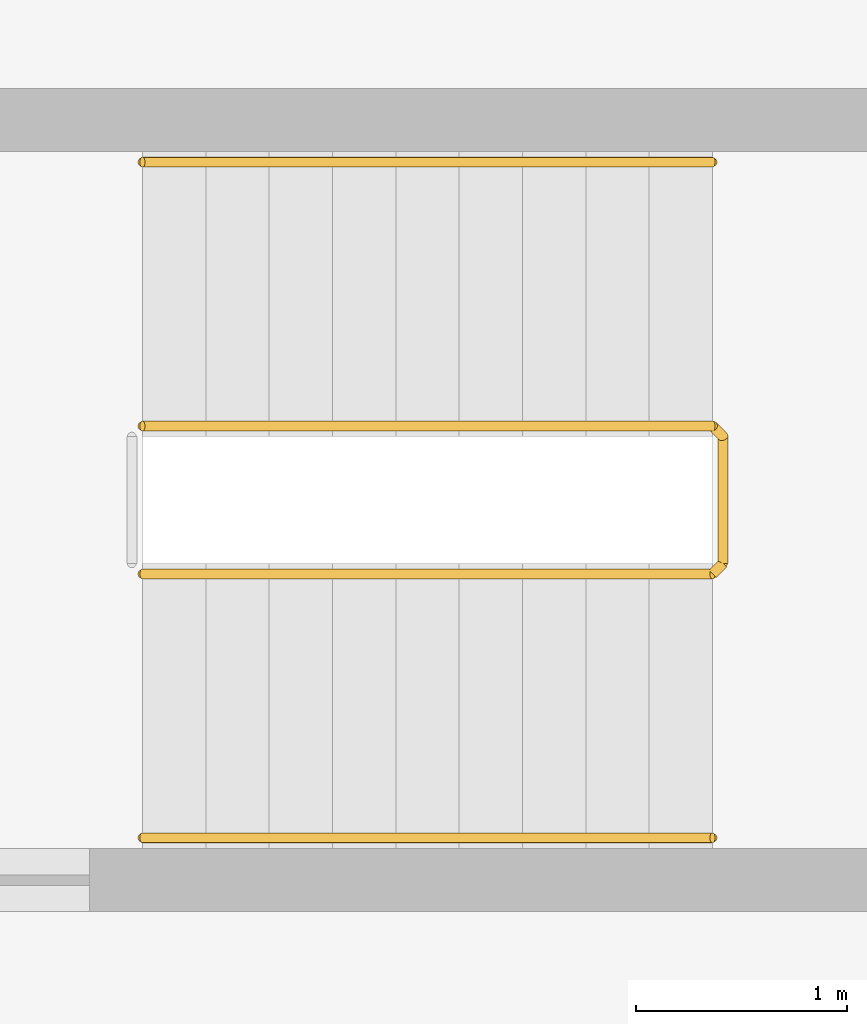
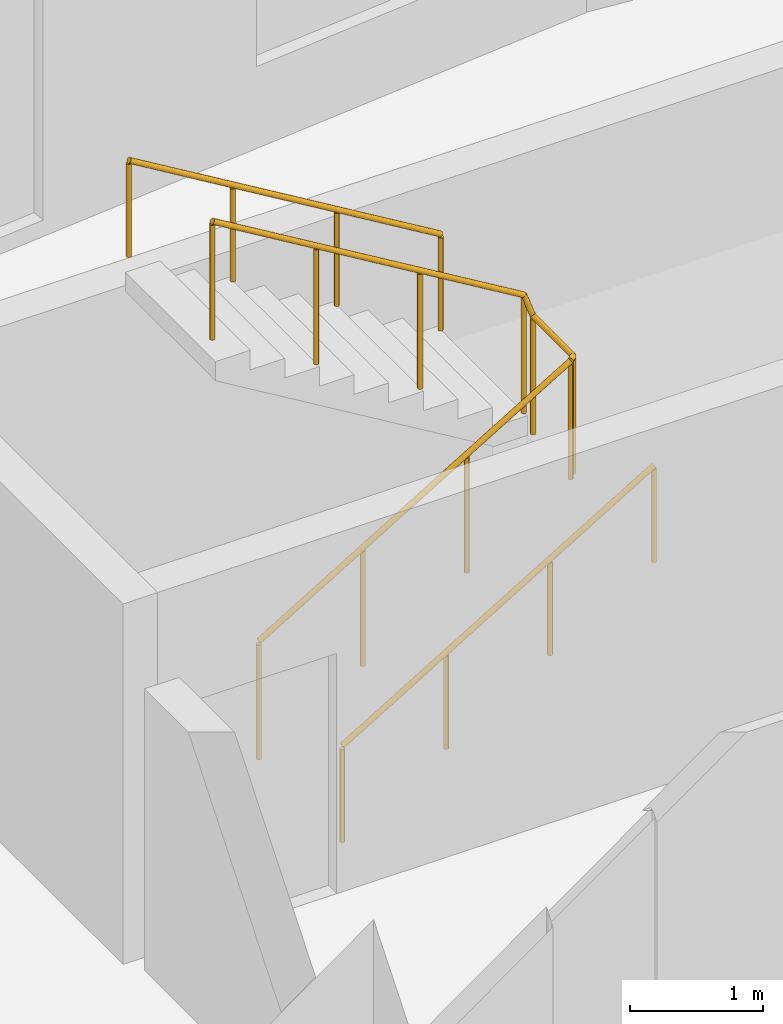
# One storey, part 13 of 13: 3 railings.
"""IFC4 building model written with IfcOpenShell, lengths in metres."""

from ifc_helpers import new_model, si_unit, direction, frame, origin, origin_2d, place, context, subcontext, project, spatial, circle, extrude, material, type_object, element, save


model = new_model("IFC4")

# Units and contexts
model_context = context("Model", 3, precision=1e-05, world=origin(), true_north=direction((0.0, 1.0)))
body_context = subcontext(model_context, "Body", "Model", "MODEL_VIEW")
ifc_project = project(units=[si_unit("LENGTHUNIT", "METRE"), si_unit("AREAUNIT", "SQUARE_METRE"), si_unit("VOLUMEUNIT", "CUBIC_METRE"), si_unit("PLANEANGLEUNIT", "RADIAN"), si_unit("MASSUNIT", "GRAM", prefix="KILO")], contexts=[model_context])

# Site, building, storey
site_placement = place(None, origin())
site = spatial("IfcSite", under=ifc_project, at=site_placement, CompositionType="ELEMENT")
building_placement = place(site_placement, origin())
building = spatial("IfcBuilding", under=site, at=building_placement, Name="Brondeck Convention Tower", CompositionType="ELEMENT")
storey_placement = place(building_placement, frame((0.0, 0.0, 48.300048828125)))
storey = spatial("IfcBuildingStorey", under=building, at=storey_placement, Name="L09", CompositionType="ELEMENT", Elevation=48.300048828125)

# Railings
ifc_material = material(Name="Steel S355", Category="steel")
railing_type_1 = type_object("IfcRailingType", Name="Stair guard 1100", PredefinedType="GUARDRAIL", material=ifc_material)
railing_1_placement = place(storey_placement, frame((37.85009765625, 55.449951171875, 0.179931640625)))
element("IfcRailing", 1, at=railing_1_placement, inside=storey, type_object=railing_type_1, Name="L09 ST-AE stair guard 1", PredefinedType="GUARDRAIL", context=body_context, shape_type="SweptSolid", body=[
    extrude(circle(Radius=0.02392578125, at=origin_2d()), frame((0.0, 0.0, 1.076171875), z_axis=(0.857472400752, 0.0, 0.514529962148), x_axis=(0.0, 1.0, 0.0)), (0.0, 0.0, 1.0), 3.148681640625),
    extrude(circle(Radius=0.02392578125, at=origin_2d()), frame((2.699951171875, 0.0, 2.6962890625), z_axis=(0.707106781187, 0.707106781187, 0.0), x_axis=(-0.707106781187, 0.707106781187, 0.0)), (0.0, 0.0, 1.0), 0.07080078125),
    extrude(circle(Radius=0.02392578125, at=origin_2d()), frame((2.75, 0.050048828125, 2.6962890625), z_axis=(0.0, 1.0, 0.0), x_axis=(-1.0, 0.0, 0.0)), (0.0, 0.0, 1.0), 0.60009765625),
    extrude(circle(Radius=0.02392578125, at=origin_2d()), frame((2.75, 0.650146484375, 2.6962890625), z_axis=(-0.258932105505, 0.257669022063, 0.930892496375), x_axis=(-0.705375805398, -0.708833529934, 0.0)), (0.0, 0.0, 1.0), 0.193359375),
    extrude(circle(Radius=0.02392578125, at=origin_2d()), frame((2.699951171875, 0.699951171875, 2.8759765625), z_axis=(-0.857506608807, 0.0, 0.514472949583), x_axis=(0.0, -1.0, 0.0)), (0.0, 0.0, 1.0), 3.148681640625),
    extrude(circle(Radius=0.02099609375, at=origin_2d()), origin(), (0.0, 0.0, 1.0), 1.052001953125),
    extrude(circle(Radius=0.02099609375, at=origin_2d()), frame((0.89990234375, 0.0, 0.5400390625)), (0.0, 0.0, 1.0), 1.052001953125),
    extrude(circle(Radius=0.02099609375, at=origin_2d()), frame((1.800048828125, 0.0, 1.080078125)), (0.0, 0.0, 1.0), 1.052001953125),
    extrude(circle(Radius=0.02099609375, at=origin_2d()), frame((2.699951171875, 0.0, 1.6201171875)), (0.0, 0.0, 1.0), 1.052001953125),
    extrude(circle(Radius=0.02099609375, at=origin_2d()), frame((2.75, 0.050048828125, 1.6201171875)), (0.0, 0.0, 1.0), 1.052001953125),
    extrude(circle(Radius=0.02099609375, at=origin_2d()), frame((2.75, 0.650146484375, 1.6201171875)), (0.0, 0.0, 1.0), 1.052001953125),
    extrude(circle(Radius=0.02099609375, at=origin_2d()), frame((2.699951171875, 0.699951171875, 1.800048828125)), (0.0, 0.0, 1.0), 1.052001953125),
    extrude(circle(Radius=0.02099609375, at=origin_2d()), frame((1.800048828125, 0.699951171875, 2.340087890625)), (0.0, 0.0, 1.0), 1.052001953125),
    extrude(circle(Radius=0.02099609375, at=origin_2d()), frame((0.89990234375, 0.699951171875, 2.8798828125)), (0.0, 0.0, 1.0), 1.052001953125),
    extrude(circle(Radius=0.02099609375, at=origin_2d()), frame((0.0, 0.699951171875, 3.419921875)), (0.0, 0.0, 1.0), 1.052001953125),
])
railing_type_2 = type_object("IfcRailingType", Name="Stair handrail", PredefinedType="HANDRAIL", material=ifc_material)
railing_2_placement = place(storey_placement, frame((37.85009765625, 54.199951171875, 0.179931640625)))
element("IfcRailing", 2, at=railing_2_placement, inside=storey, type_object=railing_type_2, Name="L09 ST-AE stair handrail 1", PredefinedType="HANDRAIL", context=body_context, shape_type="SweptSolid", body=[
    extrude(circle(Radius=0.02392578125, at=origin_2d()), frame((0.0, 0.0, 0.8759765625), z_axis=(0.857472400752, 0.0, 0.514529962148), x_axis=(0.0, 1.0, 0.0)), (0.0, 0.0, 1.0), 3.148681640625),
    extrude(circle(Radius=0.02099609375, at=origin_2d()), origin(), (0.0, 0.0, 1.0), 0.851806640625),
    extrude(circle(Radius=0.02099609375, at=origin_2d()), frame((0.89990234375, 0.0, 0.5400390625)), (0.0, 0.0, 1.0), 0.851806640625),
    extrude(circle(Radius=0.02099609375, at=origin_2d()), frame((1.800048828125, 0.0, 1.080078125)), (0.0, 0.0, 1.0), 0.851806640625),
    extrude(circle(Radius=0.02099609375, at=origin_2d()), frame((2.699951171875, 0.0, 1.6201171875)), (0.0, 0.0, 1.0), 0.851806640625),
])
railing_3_placement = place(storey_placement, frame((40.550048828125, 57.39990234375, 1.97998046875)))
element("IfcRailing", 3, at=railing_3_placement, inside=storey, type_object=railing_type_2, Name="L09 ST-AE stair handrail 2", PredefinedType="HANDRAIL", context=body_context, shape_type="SweptSolid", body=[
    extrude(circle(Radius=0.02392578125, at=origin_2d()), frame((0.0, 0.0, 0.8759765625), z_axis=(-0.857506608807, 0.0, 0.514472949583), x_axis=(0.0, -1.0, 0.0)), (0.0, 0.0, 1.0), 3.148681640625),
    extrude(circle(Radius=0.02099609375, at=origin_2d()), origin(), (0.0, 0.0, 1.0), 0.851806640625),
    extrude(circle(Radius=0.02099609375, at=origin_2d()), frame((-0.89990234375, 0.0, 0.5400390625)), (0.0, 0.0, 1.0), 0.851806640625),
    extrude(circle(Radius=0.02099609375, at=origin_2d()), frame((-1.800048828125, 0.0, 1.079833984375)), (0.0, 0.0, 1.0), 0.851806640625),
    extrude(circle(Radius=0.02099609375, at=origin_2d()), frame((-2.699951171875, 0.0, 1.619873046875)), (0.0, 0.0, 1.0), 0.851806640625),
])

save(model, "model.ifc")
